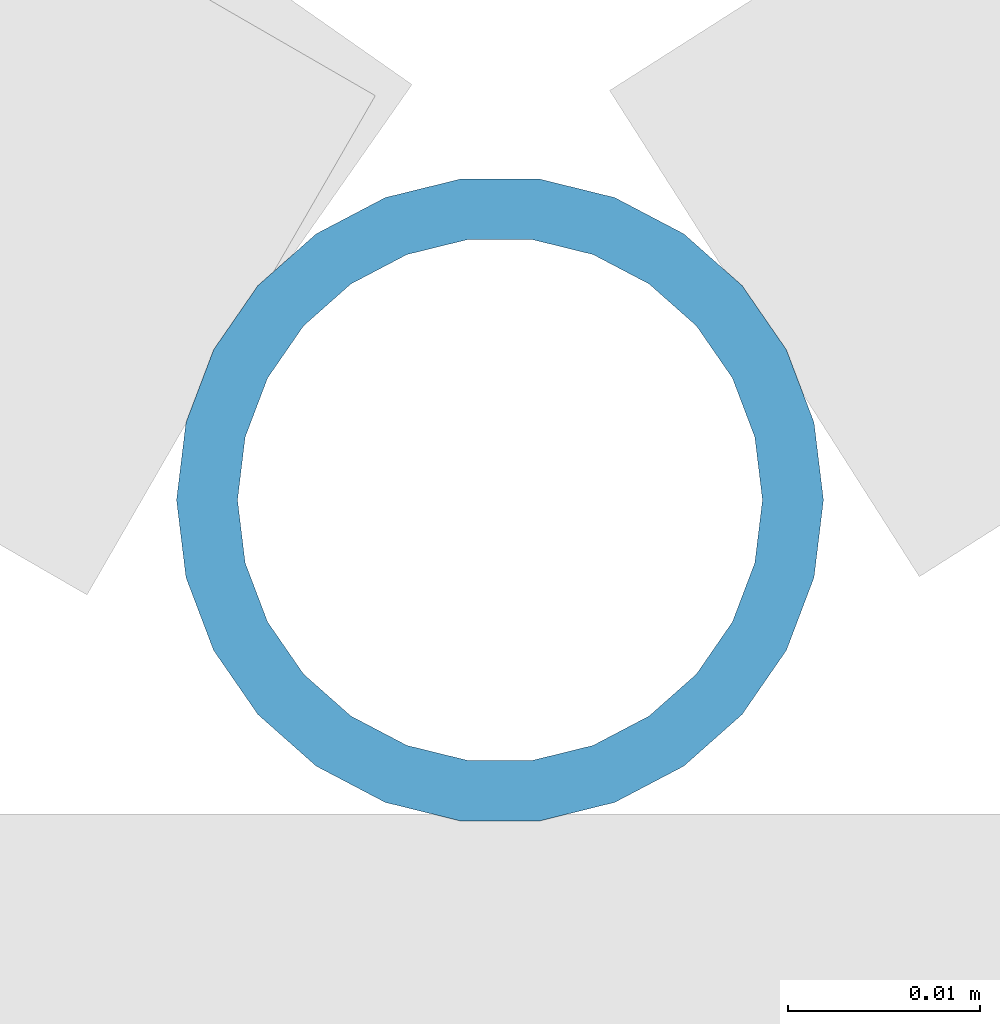
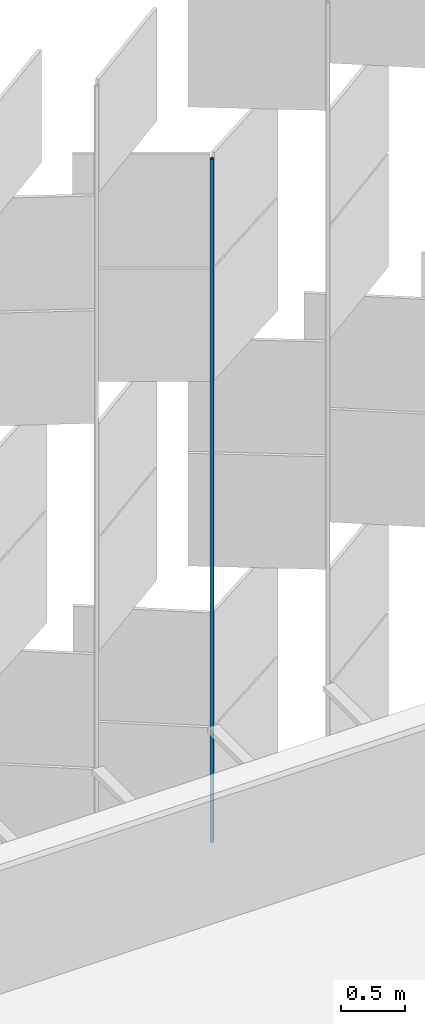
# One storey, part 384 of 483: 1 discrete accessory.
"""IFC4 building model written with IfcOpenShell, lengths in metres."""

from ifc_helpers import new_model, si_unit, direction, frame, origin, origin_2d, place, context, subcontext, project, spatial, hollow_circle, extrude, material, material_profile, profile_set, type_object, element, save


model = new_model("IFC4")

# Units and contexts
model_context = context("Model", 3, precision=1e-05, world=origin(), true_north=direction((0.0, 1.0)))
body_context = subcontext(model_context, "Body", "Model", "MODEL_VIEW")
ifc_project = project(units=[si_unit("LENGTHUNIT", "METRE"), si_unit("AREAUNIT", "SQUARE_METRE"), si_unit("VOLUMEUNIT", "CUBIC_METRE"), si_unit("PLANEANGLEUNIT", "RADIAN"), si_unit("MASSUNIT", "GRAM", prefix="KILO")], contexts=[model_context])

# Site, building, storey
site_placement = place(None, origin())
site = spatial("IfcSite", under=ifc_project, at=site_placement, CompositionType="ELEMENT")
building_placement = place(site_placement, origin())
building = spatial("IfcBuilding", under=site, at=building_placement, Name="Parallax Yard Mobility Hub", CompositionType="ELEMENT")
storey_placement = place(building_placement, frame((0.0, 0.0, 13.199951171875)))
storey = spatial("IfcBuildingStorey", under=building, at=storey_placement, Name="L04", CompositionType="ELEMENT", Elevation=13.199951171875)

# Discrete accessory
ifc_material = material(Name="Steel ASTM A500 Gr C, hot-dip galvanised", Category="steel")
ifc_material_profile = material_profile(ifc_material, hollow_circle(Radius=0.016845703125, WallThickness=0.003173828125, at=origin_2d()), Name="CHS 33.7x3.2")
ifc_profile_set = profile_set([ifc_material_profile], Name="Steel ASTM A500 Gr C, hot-dip galvanised")
discrete_accessory_type = type_object("IfcDiscreteAccessoryType", Name="Hinge post CHS 33.7x3.2", PredefinedType="BRACKET", material=ifc_profile_set)
discrete_accessory_placement = place(storey_placement, frame((169.287109375, 143.231689453125, 0.0), z_axis=(0.0, 0.0, 1.0), x_axis=(1.0, 0.0, 0.0)))
element("IfcDiscreteAccessory", 1, at=discrete_accessory_placement, inside=storey, type_object=discrete_accessory_type, Name="Hinge post bay 51.4 level L04", PredefinedType="BRACKET", context=body_context, shape_type="SweptSolid", body=[
    extrude(hollow_circle(Radius=0.016845703125, WallThickness=0.003173828125, at=origin_2d()), origin(), (0.0, 0.0, 1.0), 6.550048828125),
])

save(model, "model.ifc")
